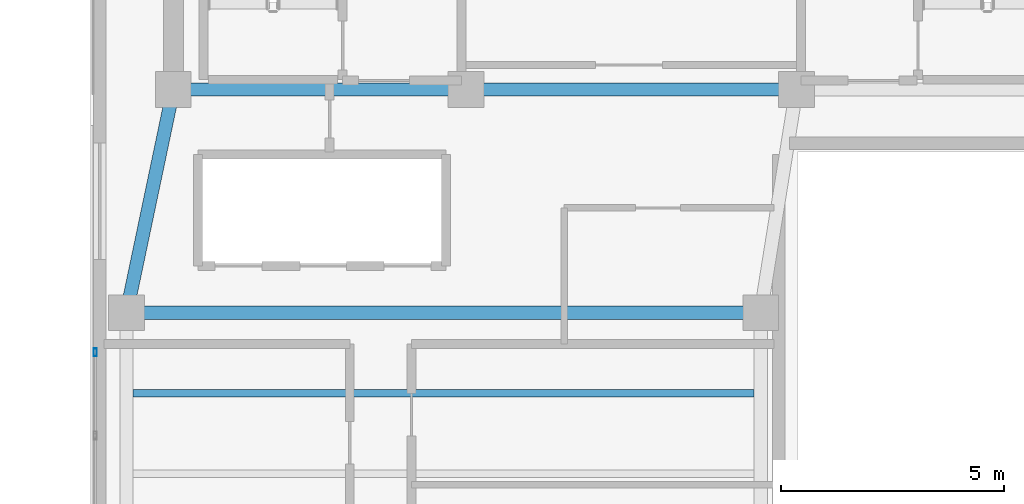
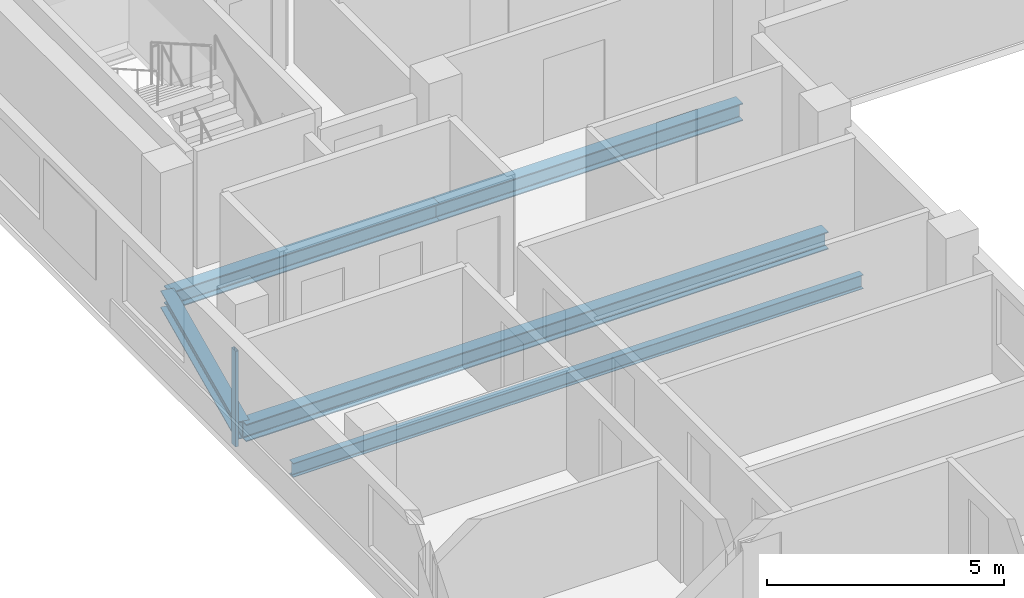
# One storey, part 6 of 11: 5 beams, 1 member, 1 element without a shape of its own.
"""IFC4 building model written with IfcOpenShell, lengths in metres."""

from ifc_helpers import new_model, si_unit, direction, frame, origin, origin_2d, place, context, subcontext, project, spatial, hollow_rectangle, i_section, extrude, material, material_profile, profile_set, type_object, element, aggregate, save


model = new_model("IFC4")

# Units and contexts
model_context = context("Model", 3, precision=1e-05, world=origin(), true_north=direction((0.0, 1.0)))
body_context = subcontext(model_context, "Body", "Model", "MODEL_VIEW")
ifc_project = project(units=[si_unit("LENGTHUNIT", "METRE"), si_unit("AREAUNIT", "SQUARE_METRE"), si_unit("VOLUMEUNIT", "CUBIC_METRE"), si_unit("PLANEANGLEUNIT", "RADIAN"), si_unit("MASSUNIT", "GRAM", prefix="KILO")], contexts=[model_context])

# Site, building, storey
site_placement = place(None, origin())
site = spatial("IfcSite", under=ifc_project, at=site_placement, CompositionType="ELEMENT")
building_placement = place(site_placement, origin())
building = spatial("IfcBuilding", under=site, at=building_placement, Name="Kuzgunbayir Cultural Tower", CompositionType="ELEMENT")
storey_placement = place(building_placement, frame((0.0, 0.0, 234.39990234375)))
storey = spatial("IfcBuildingStorey", under=building, at=storey_placement, Name="L69", CompositionType="ELEMENT", Elevation=234.39990234375)

# Beams
ifc_material_1 = material(Name="Steel S355J2", Category="steel")
ifc_material_profile_1 = material_profile(ifc_material_1, i_section(OverallWidth=0.300048828125, OverallDepth=0.449951171875, WebThickness=0.013916015625, FlangeThickness=0.02587890625, FilletRadius=0.027099609375, at=origin_2d()), Name="HEB 450")
ifc_profile_set_1 = profile_set([ifc_material_profile_1], Name="Steel S355J2")
beam_type_1 = type_object("IfcBeamType", Name="BM-GIR-HEB450", PredefinedType="BEAM", material=ifc_profile_set_1)
beam_1_placement = place(storey_placement, frame((6.449951171875, 33.800048828125, -0.39990234375), z_axis=(1.0, 0.0, 0.0), x_axis=(0.0, 1.0, 0.0)))
element("IfcBeam", 1, at=beam_1_placement, inside=storey, type_object=beam_type_1, Name="L69 Core South Girder 1", PredefinedType="BEAM", context=body_context, shape_type="SweptSolid", body=[
    extrude(i_section(OverallWidth=0.300048828125, OverallDepth=0.449951171875, WebThickness=0.013916015625, FlangeThickness=0.02587890625, FilletRadius=0.027099609375, at=origin_2d()), origin(), (0.0, 0.0, 1.0), 6.550048828125),
])
beam_2_placement = place(storey_placement, frame((13.0, 33.800048828125, -0.39990234375), z_axis=(1.0, 0.0, 0.0), x_axis=(0.0, 1.0, 0.0)))
element("IfcBeam", 2, at=beam_2_placement, inside=storey, type_object=beam_type_1, Name="L69 Core South Girder 2", PredefinedType="BEAM", context=body_context, shape_type="SweptSolid", body=[
    extrude(i_section(OverallWidth=0.300048828125, OverallDepth=0.449951171875, WebThickness=0.013916015625, FlangeThickness=0.02587890625, FilletRadius=0.027099609375, at=origin_2d()), origin(), (0.0, 0.0, 1.0), 7.39990234375),
])
beam_3_placement = place(storey_placement, frame((5.39990234375, 28.800048828125, -0.39990234375), z_axis=(1.0, 0.0, 0.0), x_axis=(0.0, 1.0, 0.0)))
element("IfcBeam", 3, at=beam_3_placement, inside=storey, type_object=beam_type_1, Name="L69 Wing A Transverse Girder 4", PredefinedType="BEAM", context=body_context, shape_type="SweptSolid", body=[
    extrude(i_section(OverallWidth=0.300048828125, OverallDepth=0.449951171875, WebThickness=0.013916015625, FlangeThickness=0.02587890625, FilletRadius=0.027099609375, at=origin_2d()), origin(), (0.0, 0.0, 1.0), 14.2001953125),
])
beam_4_placement = place(storey_placement, frame((5.39990234375, 28.800048828125, -0.39990234375), z_axis=(0.205526387753, 0.978651574329, 0.0), x_axis=(-0.978651574329, 0.205526387753, 0.0)))
element("IfcBeam", 4, at=beam_4_placement, inside=storey, type_object=beam_type_1, Name="L69 Wing A West Core Floor Girder", PredefinedType="BEAM", context=body_context, shape_type="SweptSolid", body=[
    extrude(i_section(OverallWidth=0.300048828125, OverallDepth=0.449951171875, WebThickness=0.013916015625, FlangeThickness=0.02587890625, FilletRadius=0.027099609375, at=origin_2d()), origin(), (0.0, 0.0, 1.0), 5.109130859375),
])
ifc_material_profile_2 = material_profile(ifc_material_1, i_section(OverallWidth=0.169921875, OverallDepth=0.360107421875, WebThickness=0.008056640625, FlangeThickness=0.0126953125, FilletRadius=0.01806640625, at=origin_2d()), Name="IPE 360")
ifc_profile_set_2 = profile_set([ifc_material_profile_2], Name="Steel S355J2")
beam_type_2 = type_object("IfcBeamType", Name="BM-JST-IPE360", PredefinedType="JOIST", material=ifc_profile_set_2)
beam_5_placement = place(storey_placement, frame((5.550048828125, 27.0, -0.35986328125), z_axis=(1.0, 0.0, 0.0), x_axis=(0.0, 1.0, 0.0)))
element("IfcBeam", 5, at=beam_5_placement, inside=storey, type_object=beam_type_2, Name="L69 Wing A Secondary Joist 6", PredefinedType="JOIST", context=body_context, shape_type="SweptSolid", body=[
    extrude(i_section(OverallWidth=0.169921875, OverallDepth=0.360107421875, WebThickness=0.008056640625, FlangeThickness=0.0126953125, FilletRadius=0.01806640625, at=origin_2d()), origin(), (0.0, 0.0, 1.0), 13.89990234375),
])

# Curtain wall, member
ifc_material_2 = material(Name="Anodised Aluminium Framing", Category="aluminium")
curtain_wall_type = type_object("IfcCurtainWallType", Name="CW06-OBSERVATORY", PredefinedType="NOTDEFINED", material=ifc_material_2)
curtain_wall_placement = place(storey_placement, origin())
curtain_wall = element("IfcCurtainWall", 6, at=curtain_wall_placement, inside=storey, type_object=curtain_wall_type, Name="L69 Crown Observatory West Curtain Wall", PredefinedType="NOTDEFINED")
ifc_material_profile_3 = material_profile(ifc_material_2, hollow_rectangle(XDim=0.074951171875, YDim=0.179931640625, WallThickness=0.0048828125, at=origin_2d()), Name="RHS 180x75x5")
ifc_profile_set_3 = profile_set([ifc_material_profile_3], Name="Anodised Aluminium Framing")
member_type = type_object("IfcMemberType", Name="MEM-CW-MULLION-180", PredefinedType="MULLION", material=ifc_profile_set_3)
member_placement = place(storey_placement, frame((4.699951171875, 27.91259765625, 0.0), z_axis=(0.0, 0.0, 1.0), x_axis=(-1.0, 0.0, 0.0)))
member = element("IfcMember", 7, at=member_placement, type_object=member_type, Name="CW06 mullion 3", PredefinedType="MULLION", context=body_context, shape_type="SweptSolid", body=[
    extrude(hollow_rectangle(XDim=0.074951171875, YDim=0.179931640625, WallThickness=0.0048828125, at=origin_2d()), origin(), (0.0, 0.0, 1.0), 2.47021484375),
])
aggregate(curtain_wall, [member])

save(model, "model.ifc")
